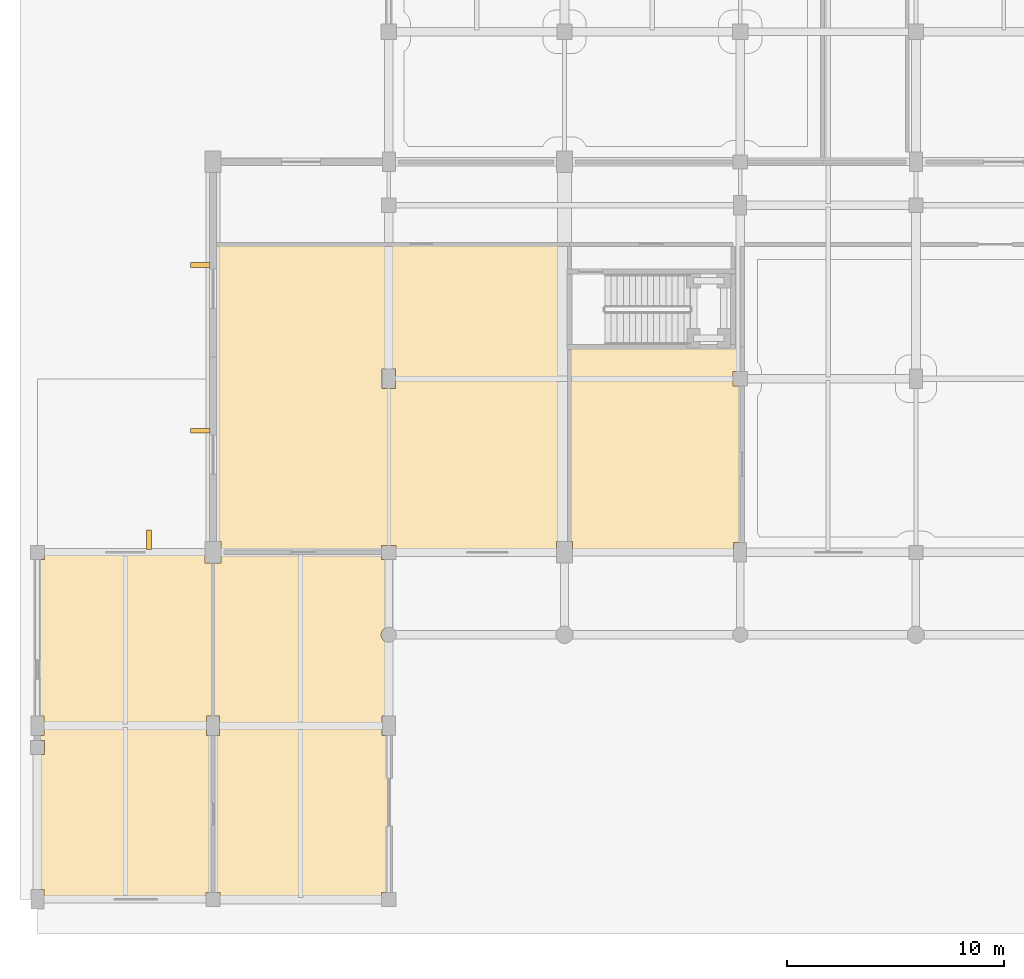
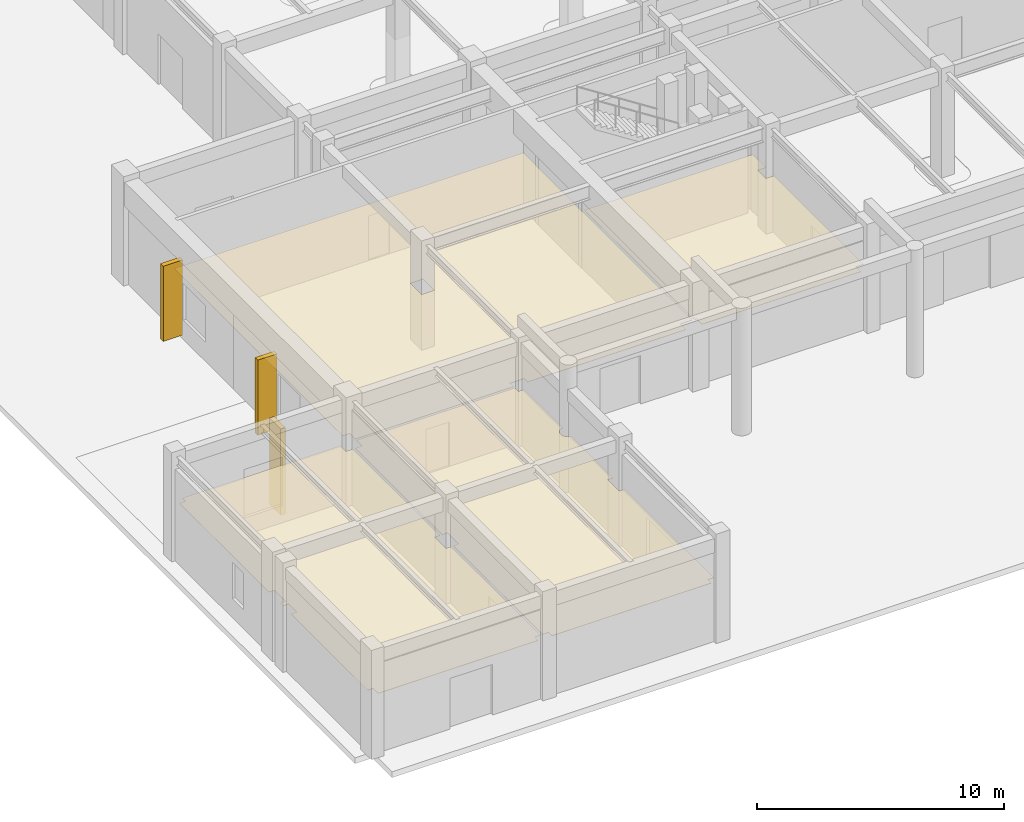
# One storey, part 50 of 62: 4 coverings, 3 shading devices.
"""IFC4 building model written with IfcOpenShell, lengths in metres."""

from ifc_helpers import new_model, si_unit, direction, frame, origin, origin_2d, place, context, subcontext, project, spatial, polyline, rectangle, outline, extrude, material, layer, layer_set, material_profile, profile_set, type_object, element, save


model = new_model("IFC4")

# Units and contexts
model_context = context("Model", 3, precision=1e-05, world=origin(), true_north=direction((0.0, 1.0)))
body_context = subcontext(model_context, "Body", "Model", "MODEL_VIEW")
ifc_project = project(units=[si_unit("LENGTHUNIT", "METRE"), si_unit("AREAUNIT", "SQUARE_METRE"), si_unit("VOLUMEUNIT", "CUBIC_METRE"), si_unit("PLANEANGLEUNIT", "RADIAN"), si_unit("MASSUNIT", "GRAM", prefix="KILO")], contexts=[model_context])

# Site, building, storey
site_placement = place(None, origin())
site = spatial("IfcSite", under=ifc_project, at=site_placement, CompositionType="ELEMENT")
building_placement = place(site_placement, origin())
building = spatial("IfcBuilding", under=site, at=building_placement, Name="Tarnveldt Square Police Headquarters", CompositionType="ELEMENT")
storey_placement = place(building_placement, origin())
storey = spatial("IfcBuildingStorey", under=building, at=storey_placement, Name="L00", CompositionType="ELEMENT", Elevation=0.0)

# Coverings
ifc_material_1 = material(Name="Mineral-fibre acoustic ceiling tile", Category="gypsum")
ifc_layer = layer(ifc_material_1, 0.02001953125)
ifc_layer_set = layer_set([ifc_layer], Name="Mineral-fibre acoustic ceiling tile")
covering_type = type_object("IfcCoveringType", Name="COV-CEIL-20", PredefinedType="CEILING", material=ifc_layer_set)
covering_1_placement = place(storey_placement, frame((0.0, 0.0, 2.75)))
element("IfcCovering", 1, at=covering_1_placement, inside=storey, type_object=covering_type, Name="Citizen Reporting Waiting Lounge Acoustic Ceiling", PredefinedType="CEILING", context=body_context, shape_type="SweptSolid", body=[
    extrude(outline(polyline([(32.449951171875, 16.451904296875), (32.097900390625, 16.451904296875), (32.097900390625, 16.050048828125), (24.677001953125, 16.050048828125), (24.677001953125, 16.501953125), (24.580078125, 16.501953125), (24.580078125, 25.409912109375), (32.449951171875, 25.409912109375), (32.449951171875, 24.326904296875), (32.072998046875, 24.326904296875), (32.072998046875, 23.673095703125), (32.449951171875, 23.673095703125), (32.449951171875, 16.451904296875)])), origin(), (0.0, 0.0, 1.0), 0.02001953125),
])
covering_2_placement = place(storey_placement, frame((0.0, 0.0, 2.75)))
element("IfcCovering", 2, at=covering_2_placement, inside=storey, type_object=covering_type, Name="Victim and Witness Reception Suite Acoustic Ceiling", PredefinedType="CEILING", context=body_context, shape_type="SweptSolid", body=[
    extrude(outline(polyline([(8.14990234375, 30.14990234375), (24.47998046875, 30.14990234375), (24.47998046875, 16.501953125), (23.923095703125, 16.501953125), (23.923095703125, 16.050048828125), (16.527099609375, 16.050048828125), (16.527099609375, 16.326904296875), (15.873046875, 16.326904296875), (15.873046875, 16.050048828125), (8.47705078125, 16.050048828125), (8.47705078125, 16.501953125), (8.14990234375, 16.501953125), (8.14990234375, 30.14990234375)]), holes=[polyline([(16.501953125, 24.451904296875), (15.89794921875, 24.451904296875), (15.89794921875, 23.548095703125), (16.501953125, 23.548095703125), (16.501953125, 24.451904296875)])]), origin(), (0.0, 0.0, 1.0), 0.02001953125),
])
covering_3_placement = place(storey_placement, frame((0.0, 0.0, 2.75)))
element("IfcCovering", 3, at=covering_3_placement, inside=storey, type_object=covering_type, Name="Civic Square Public Outreach Office Acoustic Ceiling", PredefinedType="CEILING", context=body_context, shape_type="SweptSolid", body=[
    extrude(outline(polyline([(8.050048828125, 0.326904296875), (7.77294921875, 0.326904296875), (7.77294921875, 0.050048828125), (0.302001953125, 0.050048828125), (0.302001953125, 0.451904296875), (0.050048828125, 0.451904296875), (0.050048828125, 6.673095703125), (0.326904296875, 6.673095703125), (0.326904296875, 7.326904296875), (0.050048828125, 7.326904296875), (0.050048828125, 7.548095703125), (0.302001953125, 7.548095703125), (0.302001953125, 8.451904296875), (0.050048828125, 8.451904296875), (0.050048828125, 15.673095703125), (0.326904296875, 15.673095703125), (0.326904296875, 15.949951171875), (7.722900390625, 15.949951171875), (7.722900390625, 15.498046875), (8.050048828125, 15.498046875), (8.050048828125, 8.451904296875), (7.798095703125, 8.451904296875), (7.798095703125, 7.548095703125), (8.050048828125, 7.548095703125), (8.050048828125, 0.326904296875)])), origin(), (0.0, 0.0, 1.0), 0.02001953125),
])
covering_4_placement = place(storey_placement, frame((0.0, 0.0, 2.75)))
element("IfcCovering", 4, at=covering_4_placement, inside=storey, type_object=covering_type, Name="Community Liaison Consultation Room Acoustic Ceiling", PredefinedType="CEILING", context=body_context, shape_type="SweptSolid", body=[
    extrude(outline(polyline([(16.14990234375, 0.326904296875), (15.873046875, 0.326904296875), (15.873046875, 0.050048828125), (8.427001953125, 0.050048828125), (8.427001953125, 0.326904296875), (8.14990234375, 0.326904296875), (8.14990234375, 7.548095703125), (8.402099609375, 7.548095703125), (8.402099609375, 8.451904296875), (8.14990234375, 8.451904296875), (8.14990234375, 15.498046875), (8.47705078125, 15.498046875), (8.47705078125, 15.949951171875), (15.873046875, 15.949951171875), (15.873046875, 15.673095703125), (16.14990234375, 15.673095703125), (16.14990234375, 12.548095703125), (16.13134765625, 12.545166015625), (16.097900390625, 12.536865234375), (16.065185546875, 12.525146484375), (16.0341796875, 12.510498046875), (16.00439453125, 12.49267578125), (15.976806640625, 12.47216796875), (15.951171875, 12.448974609375), (15.927978515625, 12.42333984375), (15.9072265625, 12.3955078125), (15.8896484375, 12.365966796875), (15.874755859375, 12.334716796875), (15.863037109375, 12.30224609375), (15.854736328125, 12.2685546875), (15.849609375, 12.234619140625), (15.847900390625, 12.199951171875), (15.849609375, 12.16552734375), (15.854736328125, 12.13134765625), (15.863037109375, 12.097900390625), (15.874755859375, 12.065185546875), (15.8896484375, 12.0341796875), (15.9072265625, 12.00439453125), (15.927978515625, 11.976806640625), (15.951171875, 11.951171875), (15.976806640625, 11.927978515625), (16.00439453125, 11.9072265625), (16.0341796875, 11.8896484375), (16.065185546875, 11.874755859375), (16.097900390625, 11.863037109375), (16.13134765625, 11.854736328125), (16.14990234375, 11.85205078125), (16.14990234375, 8.451904296875), (15.89794921875, 8.451904296875), (15.89794921875, 7.548095703125), (16.14990234375, 7.548095703125), (16.14990234375, 0.326904296875)])), origin(), (0.0, 0.0, 1.0), 0.02001953125),
])

# Shading devices
ifc_material_2 = material(Name="Precast concrete 35 MPa", Category="concrete")
ifc_material_profile = material_profile(ifc_material_2, rectangle(XDim=0.219970703125, YDim=0.89990234375, at=origin_2d()), Name="PC-FIN220x900")
ifc_profile_set = profile_set([ifc_material_profile], Name="Precast concrete 35 MPa")
shading_device_type = type_object("IfcShadingDeviceType", Name="SHD-FIN-900", PredefinedType="USERDEFINED", material=ifc_profile_set)
for number, where, z_axis, x_axis, name in (
    (5, (7.510009765625, 29.25, 0.14990234375), (0.0, 0.0, 1.0), (0.0, -1.0, 0.0), "L00 Precast Deep-Reveal Brutalist Fin 003"),
    (6, (7.510009765625, 21.60009765625, 0.14990234375), (0.0, 0.0, 1.0), (0.0, -1.0, 0.0), "L00 Precast Deep-Reveal Brutalist Fin 004"),
):
    element("IfcShadingDevice", number, at=place(storey_placement, frame(where, z_axis=z_axis, x_axis=x_axis)), inside=storey, type_object=shading_device_type, Name=name, ObjectType="SOLAR SHADING FIN", PredefinedType="USERDEFINED", context=body_context, shape_type="SweptSolid", body=[
        extrude(rectangle(XDim=0.219970703125, YDim=0.89990234375, at=origin_2d()), origin(), (0.0, 0.0, 1.0), 3.712158203125),
    ])
shading_device_placement = place(storey_placement, frame((5.14990234375, 16.590087890625, 0.14990234375), z_axis=(0.0, 0.0, 1.0), x_axis=(-1.0, 0.0, 0.0)))
element("IfcShadingDevice", 7, at=shading_device_placement, inside=storey, type_object=shading_device_type, Name="L00 Precast Deep-Reveal Brutalist Fin 005", ObjectType="SOLAR SHADING FIN", PredefinedType="USERDEFINED", context=body_context, shape_type="SweptSolid", body=[
    extrude(rectangle(XDim=0.219970703125, YDim=0.89990234375, at=origin_2d()), origin(), (0.0, 0.0, 1.0), 4.26220703125),
])

save(model, "model.ifc")
